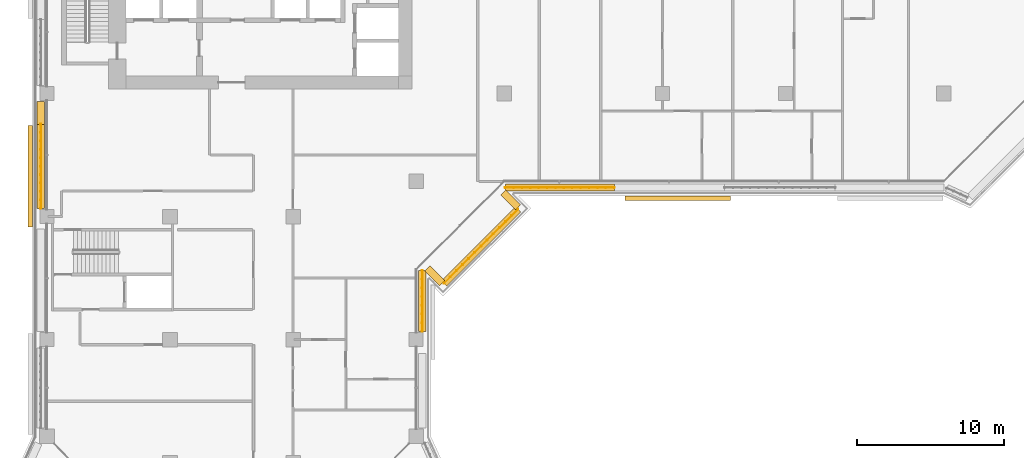
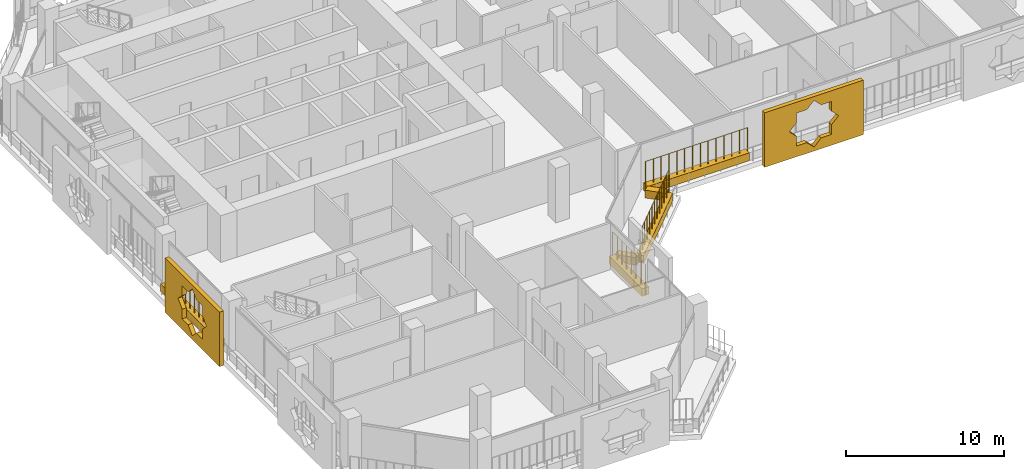
# One storey, part 17 of 22: 9 coverings, 4 railings.
"""IFC4 building model written with IfcOpenShell, lengths in metres."""

from ifc_helpers import new_model, si_unit, direction, frame, origin, origin_2d, place, context, subcontext, project, spatial, polyline, rectangle, circle, outline, extrude, material, material_profile, profile_set, type_object, element, save


model = new_model("IFC4")

# Units and contexts
model_context = context("Model", 3, precision=1e-05, world=origin(), true_north=direction((0.0, 1.0)))
body_context = subcontext(model_context, "Body", "Model", "MODEL_VIEW")
ifc_project = project(units=[si_unit("LENGTHUNIT", "METRE"), si_unit("AREAUNIT", "SQUARE_METRE"), si_unit("VOLUMEUNIT", "CUBIC_METRE"), si_unit("PLANEANGLEUNIT", "RADIAN"), si_unit("MASSUNIT", "GRAM", prefix="KILO")], contexts=[model_context])

# Site, building, storey
site_placement = place(None, origin())
site = spatial("IfcSite", under=ifc_project, at=site_placement, CompositionType="ELEMENT")
building_placement = place(site_placement, origin())
building = spatial("IfcBuilding", under=site, at=building_placement, Name="Kawkab Arch Medical Tower", CompositionType="ELEMENT")
storey_placement = place(building_placement, frame((0.0, 0.0, 204.60009765625)))
storey = spatial("IfcBuildingStorey", under=building, at=storey_placement, Name="L47", CompositionType="ELEMENT", Elevation=204.60009765625)

# Coverings
ifc_material_1 = material(Name="Bronze anodised aluminium mashrabiya panel, eight-point star pattern", Category="aluminium")
ifc_material_profile_1 = material_profile(ifc_material_1, outline(polyline([(-3.449951171875, -2.10009765625), (3.449951171875, -2.10009765625), (3.449951171875, 2.10009765625), (-3.449951171875, 2.10009765625), (-3.449951171875, -2.10009765625)]), holes=[polyline([(1.800048828125, 0.0), (1.272705078125, 0.527099609375), (1.272705078125, 1.272705078125), (0.527099609375, 1.272705078125), (0.0, 1.800048828125), (-0.527099609375, 1.272705078125), (-1.272705078125, 1.272705078125), (-1.272705078125, 0.527099609375), (-1.800048828125, 0.0), (-1.272705078125, -0.527099609375), (-1.272705078125, -1.272705078125), (-0.527099609375, -1.272705078125), (0.0, -1.800048828125), (0.527099609375, -1.272705078125), (1.272705078125, -1.272705078125), (1.272705078125, -0.527099609375), (1.800048828125, 0.0)])]), Name="Mashrabiya panel 6900x4200")
ifc_profile_set_1 = profile_set([ifc_material_profile_1], Name="Bronze anodised aluminium mashrabiya panel, eight-point star pattern")
covering_type_1 = type_object("IfcCoveringType", Name="Mashrabiya panel 6900 x 4200", PredefinedType="USERDEFINED", material=ifc_profile_set_1)
covering_1_placement = place(storey_placement, frame((-1.0, -30.850341796875, 1.699951171875), z_axis=(-1.0, 0.0, 0.0), x_axis=(0.0, -1.0, 0.0)))
element("IfcCovering", 1, at=covering_1_placement, inside=storey, type_object=covering_type_1, Name="Mashrabiya panel L47.LOG-01-01.3", ObjectType="SCREEN", PredefinedType="USERDEFINED", context=body_context, shape_type="SweptSolid", body=[
    extrude(outline(polyline([(-3.449951171875, -2.10009765625), (3.449951171875, -2.10009765625), (3.449951171875, 2.10009765625), (-3.449951171875, 2.10009765625), (-3.449951171875, -2.10009765625)]), holes=[polyline([(1.800048828125, 0.0), (1.272705078125, 0.527099609375), (1.272705078125, 1.272705078125), (0.527099609375, 1.272705078125), (0.0, 1.800048828125), (-0.527099609375, 1.272705078125), (-1.272705078125, 1.272705078125), (-1.272705078125, 0.527099609375), (-1.800048828125, 0.0), (-1.272705078125, -0.527099609375), (-1.272705078125, -1.272705078125), (-0.527099609375, -1.272705078125), (0.0, -1.800048828125), (0.527099609375, -1.272705078125), (1.272705078125, -1.272705078125), (1.272705078125, -0.527099609375), (1.800048828125, 0.0)])]), origin(), (0.0, 0.0, 1.0), 0.300048828125),
])
ifc_material_2 = material(Name="Bronze anodised aluminium mashrabiya panel, eight-point star pattern", Category="aluminium")
ifc_material_profile_2 = material_profile(ifc_material_2, outline(polyline([(-3.60009765625, -2.10009765625), (3.60009765625, -2.10009765625), (3.60009765625, 2.10009765625), (-3.60009765625, 2.10009765625), (-3.60009765625, -2.10009765625)]), holes=[polyline([(1.800048828125, 0.0), (1.272705078125, 0.527099609375), (1.272705078125, 1.272705078125), (0.527099609375, 1.272705078125), (0.0, 1.800048828125), (-0.527099609375, 1.272705078125), (-1.272705078125, 1.272705078125), (-1.272705078125, 0.527099609375), (-1.800048828125, 0.0), (-1.272705078125, -0.527099609375), (-1.272705078125, -1.272705078125), (-0.527099609375, -1.272705078125), (0.0, -1.800048828125), (0.527099609375, -1.272705078125), (1.272705078125, -1.272705078125), (1.272705078125, -0.527099609375), (1.800048828125, 0.0)])]), Name="Mashrabiya panel 7200x4200")
ifc_profile_set_2 = profile_set([ifc_material_profile_2], Name="Bronze anodised aluminium mashrabiya panel, eight-point star pattern")
covering_type_2 = type_object("IfcCoveringType", Name="Mashrabiya panel 7200 x 4200", PredefinedType="USERDEFINED", material=ifc_profile_set_2)
covering_2_placement = place(storey_placement, frame((43.06494140625, -32.199951171875, 1.699951171875), z_axis=(0.0, -1.0, 0.0), x_axis=(1.0, 0.0, 0.0)))
element("IfcCovering", 2, at=covering_2_placement, inside=storey, type_object=covering_type_2, Name="Mashrabiya panel L47.LOG-01-01.11", ObjectType="SCREEN", PredefinedType="USERDEFINED", context=body_context, shape_type="SweptSolid", body=[
    extrude(outline(polyline([(-3.60009765625, -2.10009765625), (3.60009765625, -2.10009765625), (3.60009765625, 2.10009765625), (-3.60009765625, 2.10009765625), (-3.60009765625, -2.10009765625)]), holes=[polyline([(1.800048828125, 0.0), (1.272705078125, 0.527099609375), (1.272705078125, 1.272705078125), (0.527099609375, 1.272705078125), (0.0, 1.800048828125), (-0.527099609375, 1.272705078125), (-1.272705078125, 1.272705078125), (-1.272705078125, 0.527099609375), (-1.800048828125, 0.0), (-1.272705078125, -0.527099609375), (-1.272705078125, -1.272705078125), (-0.527099609375, -1.272705078125), (0.0, -1.800048828125), (0.527099609375, -1.272705078125), (1.272705078125, -1.272705078125), (1.272705078125, -0.527099609375), (1.800048828125, 0.0)])]), origin(), (0.0, 0.0, 1.0), 0.300048828125),
])
ifc_material_3 = material(Name="Planting soil in a precast trough", Category="concrete")
ifc_material_profile_3 = material_profile(ifc_material_3, rectangle(XDim=0.5, YDim=0.60009765625, at=origin_2d()), Name="Trough 500x600")
ifc_profile_set_3 = profile_set([ifc_material_profile_3], Name="Planting soil in a precast trough")
covering_type_3 = type_object("IfcCoveringType", Name="Planter trough 500 x 600", PredefinedType="USERDEFINED", material=ifc_profile_set_3)
covering_3_placement = place(storey_placement, frame((-0.419921875, -33.044921875, 0.2998046875), z_axis=(0.0, 1.0, 0.0), x_axis=(-1.0, 0.0, 0.0)))
element("IfcCovering", 3, at=covering_3_placement, inside=storey, type_object=covering_type_3, Name="Planter L47.LOG-01-01.9", ObjectType="PLANTER", PredefinedType="USERDEFINED", context=body_context, shape_type="SweptSolid", body=[
    extrude(rectangle(XDim=0.5, YDim=0.60009765625, at=origin_2d()), origin(), (0.0, 0.0, 1.0), 5.744873046875),
])
covering_4_placement = place(storey_placement, frame((-0.419921875, -27.300048828125, 0.2998046875), z_axis=(0.0, 1.0, 0.0), x_axis=(-1.0, 0.0, 0.0)))
element("IfcCovering", 4, at=covering_4_placement, inside=storey, type_object=covering_type_3, Name="Planter L47.LOG-01-01.10", ObjectType="PLANTER", PredefinedType="USERDEFINED", context=body_context, shape_type="SweptSolid", body=[
    extrude(rectangle(XDim=0.5, YDim=0.60009765625, at=origin_2d()), origin(), (0.0, 0.0, 1.0), 1.545166015625),
])
covering_5_placement = place(storey_placement, frame((38.719970703125, -31.6201171875, 0.2998046875), z_axis=(-1.0, 0.0, 0.0), x_axis=(0.0, -1.0, 0.0)))
element("IfcCovering", 5, at=covering_5_placement, inside=storey, type_object=covering_type_3, Name="Planter L47.LOG-01-01.37", ObjectType="PLANTER", PredefinedType="USERDEFINED", context=body_context, shape_type="SweptSolid", body=[
    extrude(rectangle(XDim=0.5, YDim=0.60009765625, at=origin_2d()), origin(), (0.0, 0.0, 1.0), 7.43505859375),
])
covering_6_placement = place(storey_placement, frame((31.14306640625, -31.962890625, 0.2998046875), z_axis=(0.707020805532, -0.707192746389, 0.0), x_axis=(0.707192746389, 0.707020805532, 0.0)))
element("IfcCovering", 6, at=covering_6_placement, inside=storey, type_object=covering_type_3, Name="Planter L47.LOG-01-01.38", ObjectType="PLANTER", PredefinedType="USERDEFINED", context=body_context, shape_type="SweptSolid", body=[
    extrude(rectangle(XDim=0.5, YDim=0.60009765625, at=origin_2d()), origin(), (0.0, 0.0, 1.0), 1.419921875),
])
covering_7_placement = place(storey_placement, frame((32.14697265625, -33.10888671875, 0.2998046875), z_axis=(-0.707106781187, -0.707106781187, 0.0), x_axis=(0.707106781187, -0.707106781187, 0.0)))
element("IfcCovering", 7, at=covering_7_placement, inside=storey, type_object=covering_type_3, Name="Planter L47.LOG-01-01.39", ObjectType="PLANTER", PredefinedType="USERDEFINED", context=body_context, shape_type="SweptSolid", body=[
    extrude(rectangle(XDim=0.5, YDim=0.60009765625, at=origin_2d()), origin(), (0.0, 0.0, 1.0), 7.125),
])
covering_8_placement = place(storey_placement, frame((26.967041015625, -38.14697265625, 0.2998046875), z_axis=(-0.707192746389, 0.707020805532, 0.0), x_axis=(-0.707020805532, -0.707192746389, 0.0)))
element("IfcCovering", 8, at=covering_8_placement, inside=storey, type_object=covering_type_3, Name="Planter L47.LOG-01-01.40", ObjectType="PLANTER", PredefinedType="USERDEFINED", context=body_context, shape_type="SweptSolid", body=[
    extrude(rectangle(XDim=0.5, YDim=0.60009765625, at=origin_2d()), origin(), (0.0, 0.0, 1.0), 1.419921875),
])
covering_9_placement = place(storey_placement, frame((25.6201171875, -37.284912109375, 0.2998046875), z_axis=(0.0, -1.0, 0.0), x_axis=(1.0, 0.0, 0.0)))
element("IfcCovering", 9, at=covering_9_placement, inside=storey, type_object=covering_type_3, Name="Planter L47.LOG-01-01.41", ObjectType="PLANTER", PredefinedType="USERDEFINED", context=body_context, shape_type="SweptSolid", body=[
    extrude(rectangle(XDim=0.5, YDim=0.60009765625, at=origin_2d()), origin(), (0.0, 0.0, 1.0), 4.16015625),
])

# Railings
ifc_material_4 = material(Name="Bronze anodised aluminium trellis for climbing plants", Category="aluminium")
railing_type = type_object("IfcRailingType", Name="Planting trellis 2400", PredefinedType="USERDEFINED", material=ifc_material_4)
railing_1_placement = place(storey_placement, frame((-0.419921875, -33.044921875, 0.0)))
element("IfcRailing", 10, at=railing_1_placement, inside=storey, type_object=railing_type, Name="Planting trellis L47.LOG-01-01.9", ObjectType="TRELLIS", PredefinedType="USERDEFINED", context=body_context, shape_type="SweptSolid", body=[
    extrude(circle(Radius=0.01513671875, at=origin_2d()), frame((0.0, 0.0, 2.384765625), z_axis=(0.0, 1.0, 0.0), x_axis=(-1.0, 0.0, 0.0)), (0.0, 0.0, 1.0), 5.744873046875),
    extrude(circle(Radius=0.030029296875, at=origin_2d()), origin(), (0.0, 0.0, 1.0), 2.369873046875),
    extrude(circle(Radius=0.030029296875, at=origin_2d()), frame((0.0, 0.574462890625, 0.0)), (0.0, 0.0, 1.0), 2.369873046875),
    extrude(circle(Radius=0.030029296875, at=origin_2d()), frame((0.0, 1.14892578125, 0.0)), (0.0, 0.0, 1.0), 2.369873046875),
    extrude(circle(Radius=0.030029296875, at=origin_2d()), frame((0.0, 1.723388671875, 0.0)), (0.0, 0.0, 1.0), 2.369873046875),
    extrude(circle(Radius=0.030029296875, at=origin_2d()), frame((0.0, 2.2978515625, 0.0)), (0.0, 0.0, 1.0), 2.369873046875),
    extrude(circle(Radius=0.030029296875, at=origin_2d()), frame((0.0, 2.87255859375, 0.0)), (0.0, 0.0, 1.0), 2.369873046875),
    extrude(circle(Radius=0.030029296875, at=origin_2d()), frame((0.0, 3.447021484375, 0.0)), (0.0, 0.0, 1.0), 2.369873046875),
    extrude(circle(Radius=0.030029296875, at=origin_2d()), frame((0.0, 4.021484375, 0.0)), (0.0, 0.0, 1.0), 2.369873046875),
    extrude(circle(Radius=0.030029296875, at=origin_2d()), frame((0.0, 4.595947265625, 0.0)), (0.0, 0.0, 1.0), 2.369873046875),
    extrude(circle(Radius=0.030029296875, at=origin_2d()), frame((0.0, 5.17041015625, 0.0)), (0.0, 0.0, 1.0), 2.369873046875),
    extrude(circle(Radius=0.030029296875, at=origin_2d()), frame((0.0, 5.744873046875, 0.0)), (0.0, 0.0, 1.0), 2.369873046875),
])
railing_2_placement = place(storey_placement, frame((38.719970703125, -31.6201171875, 0.0)))
element("IfcRailing", 11, at=railing_2_placement, inside=storey, type_object=railing_type, Name="Planting trellis L47.LOG-01-01.37", ObjectType="TRELLIS", PredefinedType="USERDEFINED", context=body_context, shape_type="SweptSolid", body=[
    extrude(circle(Radius=0.01513671875, at=origin_2d()), frame((0.0, 0.0, 2.384765625), z_axis=(-1.0, 0.0, 0.0), x_axis=(0.0, -1.0, 0.0)), (0.0, 0.0, 1.0), 7.43505859375),
    extrude(circle(Radius=0.030029296875, at=origin_2d()), origin(), (0.0, 0.0, 1.0), 2.369873046875),
    extrude(circle(Radius=0.030029296875, at=origin_2d()), frame((-0.572021484375, 0.0, 0.0)), (0.0, 0.0, 1.0), 2.369873046875),
    extrude(circle(Radius=0.030029296875, at=origin_2d()), frame((-1.143798828125, 0.0, 0.0)), (0.0, 0.0, 1.0), 2.369873046875),
    extrude(circle(Radius=0.030029296875, at=origin_2d()), frame((-1.7158203125, 0.0, 0.0)), (0.0, 0.0, 1.0), 2.369873046875),
    extrude(circle(Radius=0.030029296875, at=origin_2d()), frame((-2.28759765625, 0.0, 0.0)), (0.0, 0.0, 1.0), 2.369873046875),
    extrude(circle(Radius=0.030029296875, at=origin_2d()), frame((-2.859619140625, 0.0, 0.0)), (0.0, 0.0, 1.0), 2.369873046875),
    extrude(circle(Radius=0.030029296875, at=origin_2d()), frame((-3.431640625, 0.0, 0.0)), (0.0, 0.0, 1.0), 2.369873046875),
    extrude(circle(Radius=0.030029296875, at=origin_2d()), frame((-4.00341796875, 0.0, 0.0)), (0.0, 0.0, 1.0), 2.369873046875),
    extrude(circle(Radius=0.030029296875, at=origin_2d()), frame((-4.575439453125, 0.0, 0.0)), (0.0, 0.0, 1.0), 2.369873046875),
    extrude(circle(Radius=0.030029296875, at=origin_2d()), frame((-5.1474609375, 0.0, 0.0)), (0.0, 0.0, 1.0), 2.369873046875),
    extrude(circle(Radius=0.030029296875, at=origin_2d()), frame((-5.71923828125, 0.0, 0.0)), (0.0, 0.0, 1.0), 2.369873046875),
    extrude(circle(Radius=0.030029296875, at=origin_2d()), frame((-6.291259765625, 0.0, 0.0)), (0.0, 0.0, 1.0), 2.369873046875),
    extrude(circle(Radius=0.030029296875, at=origin_2d()), frame((-6.863037109375, 0.0, 0.0)), (0.0, 0.0, 1.0), 2.369873046875),
    extrude(circle(Radius=0.030029296875, at=origin_2d()), frame((-7.43505859375, 0.0, 0.0)), (0.0, 0.0, 1.0), 2.369873046875),
])
railing_3_placement = place(storey_placement, frame((32.14697265625, -33.10888671875, 0.0)))
element("IfcRailing", 12, at=railing_3_placement, inside=storey, type_object=railing_type, Name="Planting trellis L47.LOG-01-01.39", ObjectType="TRELLIS", PredefinedType="USERDEFINED", context=body_context, shape_type="SweptSolid", body=[
    extrude(circle(Radius=0.01513671875, at=origin_2d()), frame((0.0, 0.0, 2.384765625), z_axis=(-0.707106781187, -0.707106781187, 0.0), x_axis=(0.707106781187, -0.707106781187, 0.0)), (0.0, 0.0, 1.0), 7.125),
    extrude(circle(Radius=0.030029296875, at=origin_2d()), origin(), (0.0, 0.0, 1.0), 2.369873046875),
    extrude(circle(Radius=0.030029296875, at=origin_2d()), frame((-0.419921875, -0.419921875, 0.0)), (0.0, 0.0, 1.0), 2.369873046875),
    extrude(circle(Radius=0.030029296875, at=origin_2d()), frame((-0.839599609375, -0.839599609375, 0.0)), (0.0, 0.0, 1.0), 2.369873046875),
    extrude(circle(Radius=0.030029296875, at=origin_2d()), frame((-1.259521484375, -1.259521484375, 0.0)), (0.0, 0.0, 1.0), 2.369873046875),
    extrude(circle(Radius=0.030029296875, at=origin_2d()), frame((-1.679443359375, -1.679443359375, 0.0)), (0.0, 0.0, 1.0), 2.369873046875),
    extrude(circle(Radius=0.030029296875, at=origin_2d()), frame((-2.09912109375, -2.09912109375, 0.0)), (0.0, 0.0, 1.0), 2.369873046875),
    extrude(circle(Radius=0.030029296875, at=origin_2d()), frame((-2.51904296875, -2.51904296875, 0.0)), (0.0, 0.0, 1.0), 2.369873046875),
    extrude(circle(Radius=0.030029296875, at=origin_2d()), frame((-2.93896484375, -2.93896484375, 0.0)), (0.0, 0.0, 1.0), 2.369873046875),
    extrude(circle(Radius=0.030029296875, at=origin_2d()), frame((-3.358642578125, -3.358642578125, 0.0)), (0.0, 0.0, 1.0), 2.369873046875),
    extrude(circle(Radius=0.030029296875, at=origin_2d()), frame((-3.778564453125, -3.778564453125, 0.0)), (0.0, 0.0, 1.0), 2.369873046875),
    extrude(circle(Radius=0.030029296875, at=origin_2d()), frame((-4.198486328125, -4.198486328125, 0.0)), (0.0, 0.0, 1.0), 2.369873046875),
    extrude(circle(Radius=0.030029296875, at=origin_2d()), frame((-4.6181640625, -4.6181640625, 0.0)), (0.0, 0.0, 1.0), 2.369873046875),
    extrude(circle(Radius=0.030029296875, at=origin_2d()), frame((-5.0380859375, -5.0380859375, 0.0)), (0.0, 0.0, 1.0), 2.369873046875),
])
railing_4_placement = place(storey_placement, frame((25.6201171875, -37.284912109375, 0.0)))
element("IfcRailing", 13, at=railing_4_placement, inside=storey, type_object=railing_type, Name="Planting trellis L47.LOG-01-01.41", ObjectType="TRELLIS", PredefinedType="USERDEFINED", context=body_context, shape_type="SweptSolid", body=[
    extrude(circle(Radius=0.01513671875, at=origin_2d()), frame((0.0, 0.0, 2.384765625), z_axis=(0.0, -1.0, 0.0), x_axis=(1.0, 0.0, 0.0)), (0.0, 0.0, 1.0), 4.16015625),
    extrude(circle(Radius=0.030029296875, at=origin_2d()), origin(), (0.0, 0.0, 1.0), 2.369873046875),
    extrude(circle(Radius=0.030029296875, at=origin_2d()), frame((0.0, -0.59423828125, 0.0)), (0.0, 0.0, 1.0), 2.369873046875),
    extrude(circle(Radius=0.030029296875, at=origin_2d()), frame((0.0, -1.188720703125, 0.0)), (0.0, 0.0, 1.0), 2.369873046875),
    extrude(circle(Radius=0.030029296875, at=origin_2d()), frame((0.0, -1.782958984375, 0.0)), (0.0, 0.0, 1.0), 2.369873046875),
    extrude(circle(Radius=0.030029296875, at=origin_2d()), frame((0.0, -2.377197265625, 0.0)), (0.0, 0.0, 1.0), 2.369873046875),
    extrude(circle(Radius=0.030029296875, at=origin_2d()), frame((0.0, -2.971435546875, 0.0)), (0.0, 0.0, 1.0), 2.369873046875),
    extrude(circle(Radius=0.030029296875, at=origin_2d()), frame((0.0, -3.56591796875, 0.0)), (0.0, 0.0, 1.0), 2.369873046875),
    extrude(circle(Radius=0.030029296875, at=origin_2d()), frame((0.0, -4.16015625, 0.0)), (0.0, 0.0, 1.0), 2.369873046875),
])

save(model, "model.ifc")
